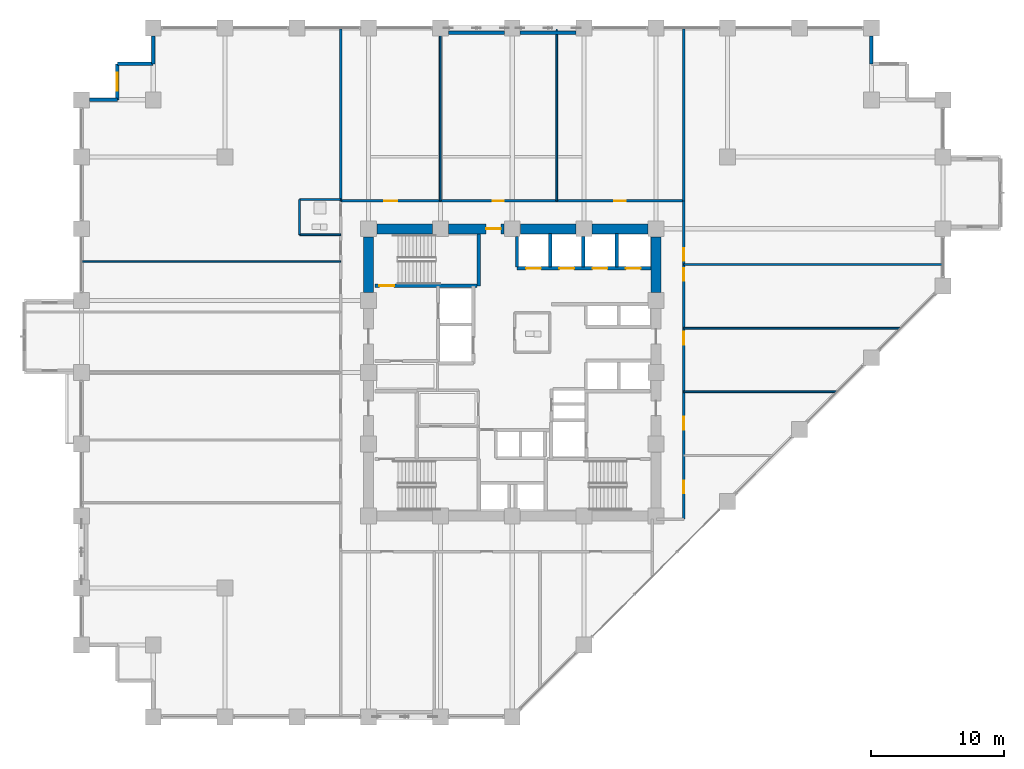
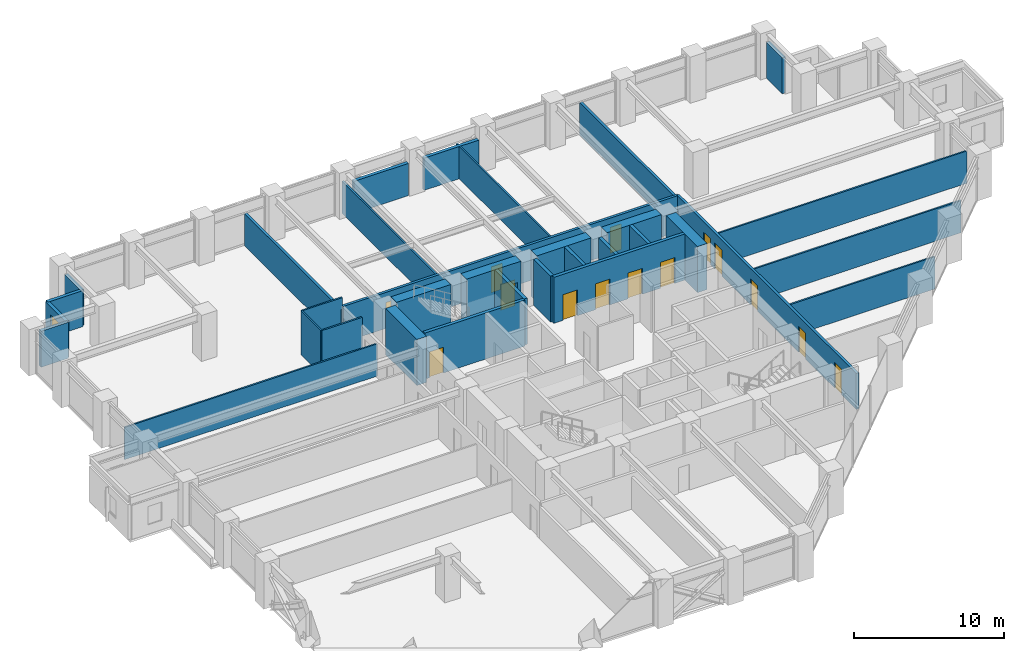
# One storey, part 23 of 28: 33 walls, 14 doors, 1 window, 15 openings.
"""IFC4 building model written with IfcOpenShell, lengths in metres."""

from ifc_helpers import new_model, si_unit, direction, frame, frame_2d, origin, place, context, subcontext, project, spatial, rectangle, extrude, material, layer, layer_set, type_object, element, fill, save


model = new_model("IFC4")

# Units and contexts
model_context = context("Model", 3, precision=1e-05, world=origin(), true_north=direction((0.0, 1.0)))
body_context = subcontext(model_context, "Body", "Model", "MODEL_VIEW")
ifc_project = project(units=[si_unit("LENGTHUNIT", "METRE"), si_unit("AREAUNIT", "SQUARE_METRE"), si_unit("VOLUMEUNIT", "CUBIC_METRE"), si_unit("PLANEANGLEUNIT", "RADIAN"), si_unit("MASSUNIT", "GRAM", prefix="KILO")], contexts=[model_context])

# Site, building, storey
site_placement = place(None, origin())
site = spatial("IfcSite", under=ifc_project, at=site_placement, CompositionType="ELEMENT")
building_placement = place(site_placement, origin())
building = spatial("IfcBuilding", under=site, at=building_placement, Name="Surkhivell Harbour Commons", CompositionType="ELEMENT")
storey_placement = place(building_placement, frame((0.0, 0.0, 63.75)))
storey = spatial("IfcBuildingStorey", under=building, at=storey_placement, Name="L16", CompositionType="ELEMENT", Elevation=63.75)

# Wall
ifc_material_1 = material(Name="Concrete C60/75", Category="concrete")
ifc_layer_1 = layer(ifc_material_1, 0.75)
ifc_layer_set_1 = layer_set([ifc_layer_1], Name="Concrete C60/75")
wall_type_1 = type_object("IfcWallType", Name="WAL-CORE-750", PredefinedType="SHEAR", material=ifc_layer_set_1)
wall_1_placement = place(storey_placement, frame((-10.18994140625, 10.800048828125, 0.0), z_axis=(0.0, 0.0, 1.0), x_axis=(1.0, 0.0, 0.0)))
element("IfcWall", 1, at=wall_1_placement, inside=storey, type_object=wall_type_1, Name="L16 Core Shear Wall North 1", PredefinedType="SHEAR", context=body_context, shape_type="SweptSolid", body=[
    extrude(rectangle(XDim=4.179931640625, YDim=0.75, at=frame_2d((2.08984375, 0.0))), origin(), (0.0, 0.0, 1.0), 3.75),
])

# Wall, opening, door
wall_2_placement = place(storey_placement, frame((-4.7900390625, 10.800048828125, 0.0), z_axis=(0.0, 0.0, 1.0), x_axis=(1.0, 0.0, 0.0)))
wall_2 = element("IfcWall", 2, at=wall_2_placement, inside=storey, type_object=wall_type_1, Name="L16 Core Shear Wall North 2", PredefinedType="SHEAR", context=body_context, shape_type="SweptSolid", body=[
    extrude(rectangle(XDim=4.179931640625, YDim=0.75, at=frame_2d((2.08984375, 0.0))), origin(), (0.0, 0.0, 1.0), 3.75),
])
opening_1_placement = place(wall_2_placement, frame((2.830078125, 0.0, 0.0)))
opening_1 = element("IfcOpeningElement", 3, at=opening_1_placement, cuts=wall_2, Name="Opening ID-2", PredefinedType="OPENING", context=body_context, shape_type="SweptSolid", body=[
    extrude(rectangle(XDim=1.10009765625, YDim=2.10009765625, at=frame_2d((0.550048828125, 1.050048828125))), frame((0.0, 0.385009765625, 0.0), z_axis=(0.0, -1.0, 0.0), x_axis=(1.0, 0.0, 0.0)), (0.0, 0.0, 1.0), 0.77001953125),
])
ifc_material_2 = material(Name="Hardwood-veneered fire-rated door leaf", Category="wood")
door_type_1 = type_object("IfcDoorType", Name="DOR-FD60-1100", OperationType="NOTDEFINED", PredefinedType="DOOR", material=ifc_material_2)
door_1_placement = place(opening_1_placement, origin())
door_1 = element("IfcDoor", 4, at=door_1_placement, inside=storey, type_object=door_type_1, Name="L16 Central Core Lift Hall North Corridor Door", OperationType="SINGLE_SWING_LEFT", OverallHeight=2.10009765625, OverallWidth=1.10009765625, PredefinedType="DOOR", context=body_context, shape_type="SweptSolid", body=[
    extrude(rectangle(XDim=1.10009765625, YDim=2.10009765625, at=frame_2d((0.550048828125, 1.050048828125))), frame((0.0, 0.02490234375, 0.0), z_axis=(0.0, -1.0, 0.0), x_axis=(1.0, 0.0, 0.0)), (0.0, 0.0, 1.0), 0.050048828125),
])
fill(opening_1, door_1)

# Walls
for number, where, z_axis, x_axis, name in (
    (5, (0.610107421875, 10.800048828125, 0.0), (0.0, 0.0, 1.0), (1.0, 0.0, 0.0), "L16 Core Shear Wall North 3"),
    (6, (6.010009765625, 10.800048828125, 0.0), (0.0, 0.0, 1.0), (1.0, 0.0, 0.0), "L16 Core Shear Wall North 4"),
    (7, (-10.800048828125, 6.010009765625, 0.0), (0.0, 0.0, 1.0), (0.0, 1.0, 0.0), "L16 Core Shear Wall West 4"),
    (8, (10.800048828125, 6.010009765625, 0.0), (0.0, 0.0, 1.0), (0.0, 1.0, 0.0), "L16 Core Shear Wall East 4"),
):
    element("IfcWall", number, at=place(storey_placement, frame(where, z_axis=z_axis, x_axis=x_axis)), inside=storey, type_object=wall_type_1, Name=name, PredefinedType="SHEAR", context=body_context, shape_type="SweptSolid", body=[
        extrude(rectangle(XDim=4.179931640625, YDim=0.75, at=frame_2d((2.08984375, 0.0))), origin(), (0.0, 0.0, 1.0), 3.75),
    ])
ifc_material_3 = material(Name="Pale-metal insulated precast concrete C45/55", Category="concrete")
ifc_layer_2 = layer(ifc_material_3, 0.260009765625)
ifc_layer_set_2 = layer_set([ifc_layer_2], Name="Pale-metal insulated precast concrete C45/55")
wall_type_2 = type_object("IfcWallType", Name="WAL-EXT-MTL260", PredefinedType="STANDARD", material=ifc_layer_set_2)
wall_3_placement = place(storey_placement, frame((27.0, 23.199951171875, 0.0), z_axis=(0.0, 0.0, 1.0), x_axis=(0.0, 1.0, 0.0)))
element("IfcWall", 9, at=wall_3_placement, inside=storey, type_object=wall_type_2, Name="L16 Serrated Corner Facade Wall 06", PredefinedType="STANDARD", context=body_context, shape_type="SweptSolid", body=[
    extrude(rectangle(XDim=2.10205078125, YDim=0.260009765625, at=frame_2d((1.051025390625, 0.0))), origin(), (0.0, 0.0, 1.0), 2.929931640625),
])
for number, where, z_axis, x_axis, name in (
    (10, (-0.597900390625, 25.5400390625, 0.0), (0.0, 0.0, 1.0), (-1.0, 0.0, 0.0), "L16 Braced-Bay Insulated Spandrel Backing N"),
    (11, (4.802001953125, 25.5400390625, 0.0), (0.0, 0.0, 1.0), (-1.0, 0.0, 0.0), "L16 Braced-Bay Insulated Spandrel Backing N2"),
):
    element("IfcWall", number, at=place(storey_placement, frame(where, z_axis=z_axis, x_axis=x_axis)), inside=storey, type_object=wall_type_2, Name=name, PredefinedType="STANDARD", context=body_context, shape_type="SweptSolid", body=[
        extrude(rectangle(XDim=4.2041015625, YDim=0.260009765625, at=frame_2d((2.10205078125, 0.0))), origin(), (0.0, 0.0, 1.0), 2.623046875),
    ])
wall_4_placement = place(storey_placement, frame((-27.0, 25.302001953125, 0.0), z_axis=(0.0, 0.0, 1.0), x_axis=(0.0, -1.0, 0.0)))
element("IfcWall", 12, at=wall_4_placement, inside=storey, type_object=wall_type_2, Name="L16 Serrated Corner Facade Wall 08", PredefinedType="STANDARD", context=body_context, shape_type="SweptSolid", body=[
    extrude(rectangle(XDim=2.10205078125, YDim=0.260009765625, at=frame_2d((1.051025390625, 0.0))), origin(), (0.0, 0.0, 1.0), 2.929931640625),
])
wall_5_placement = place(storey_placement, frame((-27.0, 23.199951171875, 0.0), z_axis=(0.0, 0.0, 1.0), x_axis=(-1.0, 0.0, 0.0)))
element("IfcWall", 13, at=wall_5_placement, inside=storey, type_object=wall_type_2, Name="L16 Serrated Corner Facade Wall 09", PredefinedType="STANDARD", context=body_context, shape_type="SweptSolid", body=[
    extrude(rectangle(XDim=2.699951171875, YDim=0.260009765625, at=frame_2d((1.35009765625, 0.0))), origin(), (0.0, 0.0, 1.0), 2.929931640625),
])

# Wall, opening, window
wall_6_placement = place(storey_placement, frame((-29.699951171875, 23.199951171875, 0.0), z_axis=(0.0, 0.0, 1.0), x_axis=(0.0, -1.0, 0.0)))
wall_6 = element("IfcWall", 14, at=wall_6_placement, inside=storey, type_object=wall_type_2, Name="L16 Serrated Corner Facade Wall 10", PredefinedType="STANDARD", context=body_context, shape_type="SweptSolid", body=[
    extrude(rectangle(XDim=2.699951171875, YDim=0.260009765625, at=frame_2d((1.35009765625, 0.0))), origin(), (0.0, 0.0, 1.0), 2.929931640625),
])
opening_2_placement = place(wall_6_placement, frame((0.675048828125, 0.0, 0.64990234375)))
opening_2 = element("IfcOpeningElement", 15, at=opening_2_placement, cuts=wall_6, Name="Opening WN-08", PredefinedType="OPENING", context=body_context, shape_type="SweptSolid", body=[
    extrude(rectangle(XDim=1.35009765625, YDim=1.64990234375, at=frame_2d((0.675048828125, 0.824951171875))), frame((0.0, 0.139892578125, 0.0), z_axis=(0.0, -1.0, 0.0), x_axis=(1.0, 0.0, 0.0)), (0.0, 0.0, 1.0), 0.280029296875),
])
ifc_material_4 = material(Name="Thermal-break aluminium frame and double low-E glazing", Category="aluminium")
window_type = type_object("IfcWindowType", Name="WIN-SER-1350x1650", PartitioningType="SINGLE_PANEL", PredefinedType="WINDOW", material=ifc_material_4)
window_placement = place(opening_2_placement, origin())
window = element("IfcWindow", 16, at=window_placement, inside=storey, type_object=window_type, Name="L16 Serrated Alcove Window 10", OverallHeight=1.64990234375, OverallWidth=1.35009765625, PartitioningType="SINGLE_PANEL", PredefinedType="WINDOW", context=body_context, shape_type="SweptSolid", body=[
    extrude(rectangle(XDim=1.35009765625, YDim=1.64990234375, at=frame_2d((0.675048828125, 0.824951171875))), frame((0.0, 0.030029296875, 0.0), z_axis=(0.0, -1.0, 0.0), x_axis=(1.0, 0.0, 0.0)), (0.0, 0.0, 1.0), 0.06005859375),
])
fill(opening_2, window)

# Walls
wall_7_placement = place(storey_placement, frame((-29.699951171875, 20.5, 0.0), z_axis=(0.0, 0.0, 1.0), x_axis=(-1.0, 0.0, 0.0)))
element("IfcWall", 17, at=wall_7_placement, inside=storey, type_object=wall_type_2, Name="L16 Serrated Corner Facade Wall 11", PredefinedType="STANDARD", context=body_context, shape_type="SweptSolid", body=[
    extrude(rectangle(XDim=2.10205078125, YDim=0.260009765625, at=frame_2d((1.051025390625, 0.0))), origin(), (0.0, 0.0, 1.0), 2.929931640625),
])
ifc_material_5 = material(Name="Moisture-resistant acoustic stud partition", Category="other")
ifc_layer_3 = layer(ifc_material_5, 0.125)
ifc_layer_set_3 = layer_set([ifc_layer_3], Name="Moisture-resistant acoustic stud partition")
wall_type_3 = type_object("IfcWallType", Name="WAL-INT-125", PredefinedType="PARTITIONING", material=ifc_layer_set_3)
wall_8_placement = place(storey_placement, frame((12.89990234375, -1.4599609375, 0.0), z_axis=(0.0, 0.0, 1.0), x_axis=(1.0, 0.0, 0.0)))
element("IfcWall", 18, at=wall_8_placement, inside=storey, type_object=wall_type_3, Name="L16 East Partition P2", PredefinedType="PARTITIONING", context=body_context, shape_type="SweptSolid", body=[
    extrude(rectangle(XDim=11.455322265625, YDim=0.125, at=frame_2d((5.7275390625, 0.0))), origin(), (0.0, 0.0, 1.0), 2.623046875),
])
wall_9_placement = place(storey_placement, frame((12.89990234375, 3.320068359375, 0.0), z_axis=(0.0, 0.0, 1.0), x_axis=(1.0, 0.0, 0.0)))
element("IfcWall", 19, at=wall_9_placement, inside=storey, type_object=wall_type_3, Name="L16 East Partition P3", PredefinedType="PARTITIONING", context=body_context, shape_type="SweptSolid", body=[
    extrude(rectangle(XDim=16.2353515625, YDim=0.125, at=frame_2d((8.11767578125, 0.0))), origin(), (0.0, 0.0, 1.0), 2.623046875),
])
wall_10_placement = place(storey_placement, frame((12.89990234375, 8.110107421875, 0.0), z_axis=(0.0, 0.0, 1.0), x_axis=(1.0, 0.0, 0.0)))
element("IfcWall", 20, at=wall_10_placement, inside=storey, type_object=wall_type_3, Name="L16 East Partition P4", PredefinedType="PARTITIONING", context=body_context, shape_type="SweptSolid", body=[
    extrude(rectangle(XDim=19.440185546875, YDim=0.125, at=frame_2d((9.72021484375, 0.0))), origin(), (0.0, 0.0, 1.0), 2.623046875),
])
for number, where, z_axis, x_axis, name in (
    (21, (-5.419921875, 12.89990234375, 0.0), (0.0, 0.0, 1.0), (0.0, 1.0, 0.0), "L16 North Partition P1"),
    (22, (3.35009765625, 12.89990234375, 0.0), (0.0, 0.0, 1.0), (0.0, 1.0, 0.0), "L16 North Partition P2"),
):
    element("IfcWall", number, at=place(storey_placement, frame(where, z_axis=z_axis, x_axis=x_axis)), inside=storey, type_object=wall_type_3, Name=name, PredefinedType="PARTITIONING", context=body_context, shape_type="SweptSolid", body=[
        extrude(rectangle(XDim=12.940185546875, YDim=0.125, at=frame_2d((6.47021484375, 0.0))), origin(), (0.0, 0.0, 1.0), 2.623046875),
    ])
wall_11_placement = place(storey_placement, frame((-16.0, 10.35009765625, 0.0), z_axis=(0.0, 0.0, 1.0), x_axis=(0.0, 1.0, 0.0)))
element("IfcWall", 23, at=wall_11_placement, inside=storey, type_object=wall_type_3, Name="L16 West Partition BTHB", PredefinedType="PARTITIONING", context=body_context, shape_type="SweptSolid", body=[
    extrude(rectangle(XDim=2.64990234375, YDim=0.125, at=frame_2d((1.324951171875, 0.0))), origin(), (0.0, 0.0, 1.0), 3.570068359375),
])
for number, where, z_axis, x_axis, name in (
    (24, (-16.0, 13.0, 0.0), (0.0, 0.0, 1.0), (1.0, 0.0, 0.0), "L16 West Partition BTHN"),
    (25, (-16.0, 10.35009765625, 0.0), (0.0, 0.0, 1.0), (1.0, 0.0, 0.0), "L16 West Partition BTHS"),
):
    element("IfcWall", number, at=place(storey_placement, frame(where, z_axis=z_axis, x_axis=x_axis)), inside=storey, type_object=wall_type_3, Name=name, PredefinedType="PARTITIONING", context=body_context, shape_type="SweptSolid", body=[
        extrude(rectangle(XDim=3.10009765625, YDim=0.125, at=frame_2d((1.550048828125, 0.0))), origin(), (0.0, 0.0, 1.0), 3.570068359375),
    ])
wall_12_placement = place(storey_placement, frame((-32.340087890625, 8.35009765625, 0.0), z_axis=(0.0, 0.0, 1.0), x_axis=(1.0, 0.0, 0.0)))
element("IfcWall", 26, at=wall_12_placement, inside=storey, type_object=wall_type_3, Name="L16 West Partition PTOP", PredefinedType="PARTITIONING", context=body_context, shape_type="SweptSolid", body=[
    extrude(rectangle(XDim=19.440185546875, YDim=0.125, at=frame_2d((9.72021484375, 0.0))), origin(), (0.0, 0.0, 1.0), 2.623046875),
])
ifc_material_6 = material(Name="Autoclaved aerated concrete blockwork and fire plaster", Category="masonry")
ifc_layer_4 = layer(ifc_material_6, 0.199951171875)
ifc_layer_set_4 = layer_set([ifc_layer_4], Name="Autoclaved aerated concrete blockwork and fire plaster")
wall_type_4 = type_object("IfcWallType", Name="WAL-INT-200", PredefinedType="PARTITIONING", material=ifc_layer_set_4)
for number, where, z_axis, x_axis, name in (
    (27, (12.89990234375, 12.89990234375, 0.0), (0.0, 0.0, 1.0), (0.0, 1.0, 0.0), "L16 North-East Wing Corner Divider"),
    (28, (-12.89990234375, 12.89990234375, 0.0), (0.0, 0.0, 1.0), (0.0, 1.0, 0.0), "L16 North-West Wing Corner Divider"),
):
    element("IfcWall", number, at=place(storey_placement, frame(where, z_axis=z_axis, x_axis=x_axis)), inside=storey, type_object=wall_type_4, Name=name, PredefinedType="PARTITIONING", context=body_context, shape_type="SweptSolid", body=[
        extrude(rectangle(XDim=12.940185546875, YDim=0.199951171875, at=frame_2d((6.47021484375, 0.0))), origin(), (0.0, 0.0, 1.0), 2.623046875),
    ])

# Wall, openings, doors
wall_13_placement = place(storey_placement, frame((12.89990234375, -11.0400390625, 0.0), z_axis=(0.0, 0.0, 1.0), x_axis=(0.0, 1.0, 0.0)))
wall_13 = element("IfcWall", 29, at=wall_13_placement, inside=storey, type_object=wall_type_4, Name="L16 Corridor East Wall", PredefinedType="PARTITIONING", context=body_context, shape_type="SweptSolid", body=[
    extrude(rectangle(XDim=23.93994140625, YDim=0.199951171875, at=frame_2d((11.969970703125, 0.0))), origin(), (0.0, 0.0, 1.0), 2.929931640625),
])
opening_3_placement = place(wall_13_placement, frame((1.945068359375, 0.0, 0.0)))
opening_3 = element("IfcOpeningElement", 30, at=opening_3_placement, cuts=wall_13, Name="Opening ID-4", PredefinedType="OPENING", context=body_context, shape_type="SweptSolid", body=[
    extrude(rectangle(XDim=0.949951171875, YDim=2.10009765625, at=frame_2d((0.47509765625, 1.050048828125))), frame((0.0, 0.10986328125, 0.0), z_axis=(0.0, -1.0, 0.0), x_axis=(1.0, 0.0, 0.0)), (0.0, 0.0, 1.0), 0.219970703125),
])
opening_4_placement = place(wall_13_placement, frame((6.735107421875, 0.0, 0.0)))
opening_4 = element("IfcOpeningElement", 31, at=opening_4_placement, cuts=wall_13, Name="Opening ID-4", PredefinedType="OPENING", context=body_context, shape_type="SweptSolid", body=[
    extrude(rectangle(XDim=0.949951171875, YDim=2.10009765625, at=frame_2d((0.47509765625, 1.050048828125))), frame((0.0, 0.10986328125, 0.0), z_axis=(0.0, -1.0, 0.0), x_axis=(1.0, 0.0, 0.0)), (0.0, 0.0, 1.0), 0.219970703125),
])
opening_5_placement = place(wall_13_placement, frame((13.1298828125, 0.0, 0.0)))
opening_5 = element("IfcOpeningElement", 32, at=opening_5_placement, cuts=wall_13, Name="Opening ID-4", PredefinedType="OPENING", context=body_context, shape_type="SweptSolid", body=[
    extrude(rectangle(XDim=0.949951171875, YDim=2.10009765625, at=frame_2d((0.47509765625, 1.050048828125))), frame((0.0, 0.10986328125, 0.0), z_axis=(0.0, -1.0, 0.0), x_axis=(1.0, 0.0, 0.0)), (0.0, 0.0, 1.0), 0.219970703125),
])
opening_6_placement = place(wall_13_placement, frame((17.919921875, 0.0, 0.0)))
opening_6 = element("IfcOpeningElement", 33, at=opening_6_placement, cuts=wall_13, Name="Opening ID-4", PredefinedType="OPENING", context=body_context, shape_type="SweptSolid", body=[
    extrude(rectangle(XDim=0.949951171875, YDim=2.10009765625, at=frame_2d((0.47509765625, 1.050048828125))), frame((0.0, 0.10986328125, 0.0), z_axis=(0.0, -1.0, 0.0), x_axis=(1.0, 0.0, 0.0)), (0.0, 0.0, 1.0), 0.219970703125),
])
opening_7_placement = place(wall_13_placement, frame((19.429931640625, 0.0, 0.0)))
opening_7 = element("IfcOpeningElement", 34, at=opening_7_placement, cuts=wall_13, Name="Opening ID-4", PredefinedType="OPENING", context=body_context, shape_type="SweptSolid", body=[
    extrude(rectangle(XDim=0.949951171875, YDim=2.10009765625, at=frame_2d((0.47509765625, 1.050048828125))), frame((0.0, 0.10986328125, 0.0), z_axis=(0.0, -1.0, 0.0), x_axis=(1.0, 0.0, 0.0)), (0.0, 0.0, 1.0), 0.219970703125),
])
door_type_2 = type_object("IfcDoorType", Name="DOR-FD60-950", OperationType="NOTDEFINED", PredefinedType="DOOR", material=ifc_material_2)
door_2_placement = place(opening_3_placement, origin())
door_2 = element("IfcDoor", 35, at=door_2_placement, inside=storey, type_object=door_type_2, Name="L16 Co-Working Study Office Pod 1 East Door", OperationType="SINGLE_SWING_RIGHT", OverallHeight=2.10009765625, OverallWidth=0.949951171875, PredefinedType="DOOR", context=body_context, shape_type="SweptSolid", body=[
    extrude(rectangle(XDim=0.949951171875, YDim=2.10009765625, at=frame_2d((0.47509765625, 1.050048828125))), frame((0.0, 0.02490234375, 0.0), z_axis=(0.0, -1.0, 0.0), x_axis=(1.0, 0.0, 0.0)), (0.0, 0.0, 1.0), 0.050048828125),
])
fill(opening_3, door_2)
door_3_placement = place(opening_4_placement, origin())
door_3 = element("IfcDoor", 36, at=door_3_placement, inside=storey, type_object=door_type_2, Name="L16 Academic Seminar Pod 2 East Door", OperationType="SINGLE_SWING_LEFT", OverallHeight=2.10009765625, OverallWidth=0.949951171875, PredefinedType="DOOR", context=body_context, shape_type="SweptSolid", body=[
    extrude(rectangle(XDim=0.949951171875, YDim=2.10009765625, at=frame_2d((0.47509765625, 1.050048828125))), frame((0.0, 0.02490234375, 0.0), z_axis=(0.0, -1.0, 0.0), x_axis=(1.0, 0.0, 0.0)), (0.0, 0.0, 1.0), 0.050048828125),
])
fill(opening_4, door_3)
door_4_placement = place(opening_5_placement, origin())
door_4 = element("IfcDoor", 37, at=door_4_placement, inside=storey, type_object=door_type_2, Name="L16 Harbour Espresso Cafe Shop 3 East Door", OperationType="SINGLE_SWING_RIGHT", OverallHeight=2.10009765625, OverallWidth=0.949951171875, PredefinedType="DOOR", context=body_context, shape_type="SweptSolid", body=[
    extrude(rectangle(XDim=0.949951171875, YDim=2.10009765625, at=frame_2d((0.47509765625, 1.050048828125))), frame((0.0, 0.02490234375, 0.0), z_axis=(0.0, -1.0, 0.0), x_axis=(1.0, 0.0, 0.0)), (0.0, 0.0, 1.0), 0.050048828125),
])
fill(opening_5, door_4)
door_5_placement = place(opening_6_placement, origin())
door_5 = element("IfcDoor", 38, at=door_5_placement, inside=storey, type_object=door_type_2, Name="L16 Zone Concierge Reception Foyer 4 East Door", OperationType="SINGLE_SWING_LEFT", OverallHeight=2.10009765625, OverallWidth=0.949951171875, PredefinedType="DOOR", context=body_context, shape_type="SweptSolid", body=[
    extrude(rectangle(XDim=0.949951171875, YDim=2.10009765625, at=frame_2d((0.47509765625, 1.050048828125))), frame((0.0, 0.02490234375, 0.0), z_axis=(0.0, -1.0, 0.0), x_axis=(1.0, 0.0, 0.0)), (0.0, 0.0, 1.0), 0.050048828125),
])
fill(opening_6, door_5)
door_6_placement = place(opening_7_placement, origin())
door_6 = element("IfcDoor", 39, at=door_6_placement, inside=storey, type_object=door_type_2, Name="L16 Shared Communal Kitchen 5 East Door", OperationType="SINGLE_SWING_RIGHT", OverallHeight=2.10009765625, OverallWidth=0.949951171875, PredefinedType="DOOR", context=body_context, shape_type="SweptSolid", body=[
    extrude(rectangle(XDim=0.949951171875, YDim=2.10009765625, at=frame_2d((0.47509765625, 1.050048828125))), frame((0.0, 0.02490234375, 0.0), z_axis=(0.0, -1.0, 0.0), x_axis=(1.0, 0.0, 0.0)), (0.0, 0.0, 1.0), 0.050048828125),
])
fill(opening_7, door_6)

wall_14_placement = place(storey_placement, frame((-12.89990234375, 12.89990234375, 0.0), z_axis=(0.0, 0.0, 1.0), x_axis=(1.0, 0.0, 0.0)))
wall_14 = element("IfcWall", 40, at=wall_14_placement, inside=storey, type_object=wall_type_4, Name="L16 Corridor North Wall", PredefinedType="PARTITIONING", context=body_context, shape_type="SweptSolid", body=[
    extrude(rectangle(XDim=25.7998046875, YDim=0.199951171875, at=frame_2d((12.89990234375, 0.0))), origin(), (0.0, 0.0, 1.0), 2.929931640625),
])
opening_8_placement = place(wall_14_placement, frame((3.2900390625, 0.0, 0.0)))
opening_8 = element("IfcOpeningElement", 41, at=opening_8_placement, cuts=wall_14, Name="Opening ID-4", PredefinedType="OPENING", context=body_context, shape_type="SweptSolid", body=[
    extrude(rectangle(XDim=0.949951171875, YDim=2.10009765625, at=frame_2d((0.47509765625, 1.050048828125))), frame((0.0, 0.10986328125, 0.0), z_axis=(0.0, -1.0, 0.0), x_axis=(1.0, 0.0, 0.0)), (0.0, 0.0, 1.0), 0.219970703125),
])
opening_9_placement = place(wall_14_placement, frame((11.4150390625, 0.0, 0.0)))
opening_9 = element("IfcOpeningElement", 42, at=opening_9_placement, cuts=wall_14, Name="Opening ID-6", PredefinedType="OPENING", context=body_context, shape_type="SweptSolid", body=[
    extrude(rectangle(XDim=0.85009765625, YDim=2.10009765625, at=frame_2d((0.425048828125, 1.050048828125))), frame((0.0, 0.10986328125, 0.0), z_axis=(0.0, -1.0, 0.0), x_axis=(1.0, 0.0, 0.0)), (0.0, 0.0, 1.0), 0.219970703125),
])
opening_10_placement = place(wall_14_placement, frame((20.574951171875, 0.0, 0.0)))
opening_10 = element("IfcOpeningElement", 43, at=opening_10_placement, cuts=wall_14, Name="Opening ID-6", PredefinedType="OPENING", context=body_context, shape_type="SweptSolid", body=[
    extrude(rectangle(XDim=0.85009765625, YDim=2.10009765625, at=frame_2d((0.425048828125, 1.050048828125))), frame((0.0, 0.10986328125, 0.0), z_axis=(0.0, -1.0, 0.0), x_axis=(1.0, 0.0, 0.0)), (0.0, 0.0, 1.0), 0.219970703125),
])
door_type_3 = type_object("IfcDoorType", Name="DOR-FD30-850", OperationType="NOTDEFINED", PredefinedType="DOOR", material=ifc_material_2)
door_7_placement = place(opening_9_placement, origin())
door_7 = element("IfcDoor", 44, at=door_7_placement, inside=storey, type_object=door_type_3, Name="L16 Visitor Arrival Reception Foyer 2 North Door", OperationType="SINGLE_SWING_RIGHT", OverallHeight=2.10009765625, OverallWidth=0.85009765625, PredefinedType="DOOR", context=body_context, shape_type="SweptSolid", body=[
    extrude(rectangle(XDim=0.85009765625, YDim=2.10009765625, at=frame_2d((0.425048828125, 1.050048828125))), frame((0.0, 0.02490234375, 0.0), z_axis=(0.0, -1.0, 0.0), x_axis=(1.0, 0.0, 0.0)), (0.0, 0.0, 1.0), 0.050048828125),
])
fill(opening_9, door_7)
door_8_placement = place(opening_10_placement, origin())
door_8 = element("IfcDoor", 45, at=door_8_placement, inside=storey, type_object=door_type_3, Name="L16 Student Welcome Reception Foyer 3 North Door", OperationType="SINGLE_SWING_LEFT", OverallHeight=2.10009765625, OverallWidth=0.85009765625, PredefinedType="DOOR", context=body_context, shape_type="SweptSolid", body=[
    extrude(rectangle(XDim=0.85009765625, YDim=2.10009765625, at=frame_2d((0.425048828125, 1.050048828125))), frame((0.0, 0.02490234375, 0.0), z_axis=(0.0, -1.0, 0.0), x_axis=(1.0, 0.0, 0.0)), (0.0, 0.0, 1.0), 0.050048828125),
])
fill(opening_10, door_8)
door_9_placement = place(opening_8_placement, origin())
door_9 = element("IfcDoor", 46, at=door_9_placement, inside=storey, type_object=door_type_2, Name="L16 Zone Concierge Reception Foyer 1 North Door", OperationType="SINGLE_SWING_LEFT", OverallHeight=2.10009765625, OverallWidth=0.949951171875, PredefinedType="DOOR", context=body_context, shape_type="SweptSolid", body=[
    extrude(rectangle(XDim=0.949951171875, YDim=2.10009765625, at=frame_2d((0.47509765625, 1.050048828125))), frame((0.0, 0.02490234375, 0.0), z_axis=(0.0, -1.0, 0.0), x_axis=(1.0, 0.0, 0.0)), (0.0, 0.0, 1.0), 0.050048828125),
])
fill(opening_8, door_9)

# Walls
ifc_material_7 = material(Name="Concrete C50/60", Category="concrete")
ifc_layer_5 = layer(ifc_material_7, 0.25)
ifc_layer_set_5 = layer_set([ifc_layer_5], Name="Concrete C50/60")
wall_type_5 = type_object("IfcWallType", Name="WAL-SHAFT-250", PredefinedType="SHEAR", material=ifc_layer_set_5)
wall_15_placement = place(storey_placement, frame((2.85009765625, 7.93994140625, 0.0), z_axis=(0.0, 0.0, 1.0), x_axis=(0.0, 1.0, 0.0)))
element("IfcWall", 47, at=wall_15_placement, inside=storey, type_object=wall_type_5, Name="L16 Low-Rise Hoistway Wall", PredefinedType="SHEAR", context=body_context, shape_type="SweptSolid", body=[
    extrude(rectangle(XDim=2.485107421875, YDim=0.25, at=frame_2d((1.24267578125, 0.0))), origin(), (0.0, 0.0, 1.0), 3.75),
])
for number, where, z_axis, x_axis, name in (
    (48, (0.35009765625, 7.93994140625, 0.0), (0.0, 0.0, 1.0), (0.0, 1.0, 0.0), "L16 Low-Rise Hoistway Wall"),
    (49, (5.35009765625, 7.93994140625, 0.0), (0.0, 0.0, 1.0), (0.0, 1.0, 0.0), "L16 Low-Rise Hoistway Wall"),
):
    element("IfcWall", number, at=place(storey_placement, frame(where, z_axis=z_axis, x_axis=x_axis)), inside=storey, type_object=wall_type_5, Name=name, PredefinedType="SHEAR", context=body_context, shape_type="SweptSolid", body=[
        extrude(rectangle(XDim=2.260009765625, YDim=0.25, at=frame_2d((1.1298828125, 0.0))), origin(), (0.0, 0.0, 1.0), 3.75),
    ])
wall_16_placement = place(storey_placement, frame((7.85009765625, 7.93994140625, 0.0), z_axis=(0.0, 0.0, 1.0), x_axis=(0.0, 1.0, 0.0)))
element("IfcWall", 50, at=wall_16_placement, inside=storey, type_object=wall_type_5, Name="L16 Low-Rise Hoistway Wall", PredefinedType="SHEAR", context=body_context, shape_type="SweptSolid", body=[
    extrude(rectangle(XDim=2.485107421875, YDim=0.25, at=frame_2d((1.24267578125, 0.0))), origin(), (0.0, 0.0, 1.0), 3.75),
])

# Wall, openings, doors
wall_17_placement = place(storey_placement, frame((0.35009765625, 7.820068359375, 0.0), z_axis=(0.0, 0.0, 1.0), x_axis=(1.0, 0.0, 0.0)))
wall_17 = element("IfcWall", 51, at=wall_17_placement, inside=storey, type_object=wall_type_5, Name="L16 Low-Rise Lift Front Shaft Wall", PredefinedType="SHEAR", context=body_context, shape_type="SweptSolid", body=[
    extrude(rectangle(XDim=10.074951171875, YDim=0.25, at=frame_2d((5.03759765625, 0.0))), origin(), (0.0, 0.0, 1.0), 3.75),
])
opening_11_placement = place(wall_17_placement, frame((0.699951171875, 0.0, 0.0)))
opening_11 = element("IfcOpeningElement", 52, at=opening_11_placement, cuts=wall_17, Name="Opening LD-1", PredefinedType="OPENING", context=body_context, shape_type="SweptSolid", body=[
    extrude(rectangle(XDim=1.10009765625, YDim=2.10009765625, at=frame_2d((0.550048828125, 1.050048828125))), frame((0.0, 0.135009765625, 0.0), z_axis=(0.0, -1.0, 0.0), x_axis=(1.0, 0.0, 0.0)), (0.0, 0.0, 1.0), 0.27001953125),
])
opening_12_placement = place(wall_17_placement, frame((3.199951171875, 0.0, 0.0)))
opening_12 = element("IfcOpeningElement", 53, at=opening_12_placement, cuts=wall_17, Name="Opening LD-1", PredefinedType="OPENING", context=body_context, shape_type="SweptSolid", body=[
    extrude(rectangle(XDim=1.10009765625, YDim=2.10009765625, at=frame_2d((0.550048828125, 1.050048828125))), frame((0.0, 0.135009765625, 0.0), z_axis=(0.0, -1.0, 0.0), x_axis=(1.0, 0.0, 0.0)), (0.0, 0.0, 1.0), 0.27001953125),
])
opening_13_placement = place(wall_17_placement, frame((5.699951171875, 0.0, 0.0)))
opening_13 = element("IfcOpeningElement", 54, at=opening_13_placement, cuts=wall_17, Name="Opening LD-1", PredefinedType="OPENING", context=body_context, shape_type="SweptSolid", body=[
    extrude(rectangle(XDim=1.10009765625, YDim=2.10009765625, at=frame_2d((0.550048828125, 1.050048828125))), frame((0.0, 0.135009765625, 0.0), z_axis=(0.0, -1.0, 0.0), x_axis=(1.0, 0.0, 0.0)), (0.0, 0.0, 1.0), 0.27001953125),
])
opening_14_placement = place(wall_17_placement, frame((8.199951171875, 0.0, 0.0)))
opening_14 = element("IfcOpeningElement", 55, at=opening_14_placement, cuts=wall_17, Name="Opening LD-1", PredefinedType="OPENING", context=body_context, shape_type="SweptSolid", body=[
    extrude(rectangle(XDim=1.10009765625, YDim=2.10009765625, at=frame_2d((0.550048828125, 1.050048828125))), frame((0.0, 0.135009765625, 0.0), z_axis=(0.0, -1.0, 0.0), x_axis=(1.0, 0.0, 0.0)), (0.0, 0.0, 1.0), 0.27001953125),
])
ifc_material_8 = material(Name="Brushed stainless steel S355", Category="steel")
door_type_4 = type_object("IfcDoorType", Name="DOR-LD-1100", OperationType="SLIDING_TO_LEFT", PredefinedType="DOOR", material=ifc_material_8)
door_10_placement = place(opening_11_placement, origin())
door_10 = element("IfcDoor", 56, at=door_10_placement, inside=storey, type_object=door_type_4, Name="L16 Lift Landing Door LD-PL1", OperationType="SLIDING_TO_LEFT", OverallHeight=2.10009765625, OverallWidth=1.10009765625, PredefinedType="DOOR", context=body_context, shape_type="SweptSolid", body=[
    extrude(rectangle(XDim=1.10009765625, YDim=2.10009765625, at=frame_2d((0.550048828125, 1.050048828125))), frame((0.0, 0.02490234375, 0.0), z_axis=(0.0, -1.0, 0.0), x_axis=(1.0, 0.0, 0.0)), (0.0, 0.0, 1.0), 0.050048828125),
])
fill(opening_11, door_10)
door_11_placement = place(opening_12_placement, origin())
door_11 = element("IfcDoor", 57, at=door_11_placement, inside=storey, type_object=door_type_4, Name="L16 Lift Landing Door LD-PL2", OperationType="SLIDING_TO_LEFT", OverallHeight=2.10009765625, OverallWidth=1.10009765625, PredefinedType="DOOR", context=body_context, shape_type="SweptSolid", body=[
    extrude(rectangle(XDim=1.10009765625, YDim=2.10009765625, at=frame_2d((0.550048828125, 1.050048828125))), frame((0.0, 0.02490234375, 0.0), z_axis=(0.0, -1.0, 0.0), x_axis=(1.0, 0.0, 0.0)), (0.0, 0.0, 1.0), 0.050048828125),
])
fill(opening_12, door_11)
door_12_placement = place(opening_13_placement, origin())
door_12 = element("IfcDoor", 58, at=door_12_placement, inside=storey, type_object=door_type_4, Name="L16 Lift Landing Door LD-PL3", OperationType="SLIDING_TO_LEFT", OverallHeight=2.10009765625, OverallWidth=1.10009765625, PredefinedType="DOOR", context=body_context, shape_type="SweptSolid", body=[
    extrude(rectangle(XDim=1.10009765625, YDim=2.10009765625, at=frame_2d((0.550048828125, 1.050048828125))), frame((0.0, 0.02490234375, 0.0), z_axis=(0.0, -1.0, 0.0), x_axis=(1.0, 0.0, 0.0)), (0.0, 0.0, 1.0), 0.050048828125),
])
fill(opening_13, door_12)
door_13_placement = place(opening_14_placement, origin())
door_13 = element("IfcDoor", 59, at=door_13_placement, inside=storey, type_object=door_type_4, Name="L16 Lift Landing Door LD-PL4", OperationType="SLIDING_TO_LEFT", OverallHeight=2.10009765625, OverallWidth=1.10009765625, PredefinedType="DOOR", context=body_context, shape_type="SweptSolid", body=[
    extrude(rectangle(XDim=1.10009765625, YDim=2.10009765625, at=frame_2d((0.550048828125, 1.050048828125))), frame((0.0, 0.02490234375, 0.0), z_axis=(0.0, -1.0, 0.0), x_axis=(1.0, 0.0, 0.0)), (0.0, 0.0, 1.0), 0.050048828125),
])
fill(opening_14, door_13)

# Wall
wall_18_placement = place(storey_placement, frame((-2.510009765625, 6.510009765625, 0.0), z_axis=(0.0, 0.0, 1.0), x_axis=(0.0, 1.0, 0.0)))
element("IfcWall", 60, at=wall_18_placement, inside=storey, type_object=wall_type_5, Name="L16 Stair ST1 East Shear Wall", PredefinedType="SHEAR", context=body_context, shape_type="SweptSolid", body=[
    extrude(rectangle(XDim=3.9150390625, YDim=0.25, at=frame_2d((1.95751953125, 0.0))), origin(), (0.0, 0.0, 1.0), 3.75),
])

# Wall, opening, door
wall_19_placement = place(storey_placement, frame((-10.340087890625, 6.510009765625, 0.0), z_axis=(0.0, 0.0, 1.0), x_axis=(1.0, 0.0, 0.0)))
wall_19 = element("IfcWall", 61, at=wall_19_placement, inside=storey, type_object=wall_type_5, Name="L16 Stair ST1 South Shear Wall", PredefinedType="SHEAR", context=body_context, shape_type="SweptSolid", body=[
    extrude(rectangle(XDim=7.7001953125, YDim=0.25, at=frame_2d((3.85009765625, 0.0))), origin(), (0.0, 0.0, 1.0), 3.75),
])
opening_15_placement = place(wall_19_placement, frame((0.35009765625, 0.0, 0.0)))
opening_15 = element("IfcOpeningElement", 62, at=opening_15_placement, cuts=wall_19, Name="Opening ID-2", PredefinedType="OPENING", context=body_context, shape_type="SweptSolid", body=[
    extrude(rectangle(XDim=1.10009765625, YDim=2.10009765625, at=frame_2d((0.550048828125, 1.050048828125))), frame((0.0, 0.135009765625, 0.0), z_axis=(0.0, -1.0, 0.0), x_axis=(1.0, 0.0, 0.0)), (0.0, 0.0, 1.0), 0.27001953125),
])
door_14_placement = place(opening_15_placement, origin())
door_14 = element("IfcDoor", 63, at=door_14_placement, inside=storey, type_object=door_type_1, Name="L16 Stair ST1 Exit Door", OperationType="SINGLE_SWING_LEFT", OverallHeight=2.10009765625, OverallWidth=1.10009765625, PredefinedType="DOOR", context=body_context, shape_type="SweptSolid", body=[
    extrude(rectangle(XDim=1.10009765625, YDim=2.10009765625, at=frame_2d((0.550048828125, 1.050048828125))), frame((0.0, 0.02490234375, 0.0), z_axis=(0.0, -1.0, 0.0), x_axis=(1.0, 0.0, 0.0)), (0.0, 0.0, 1.0), 0.050048828125),
])
fill(opening_15, door_14)

save(model, "model.ifc")
